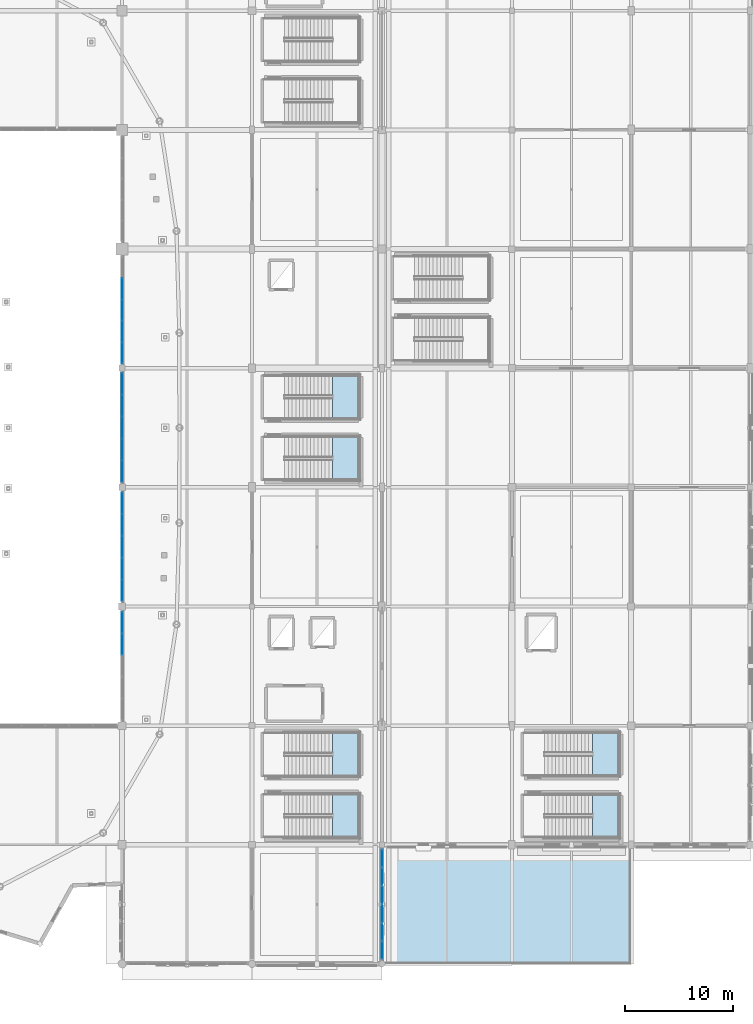
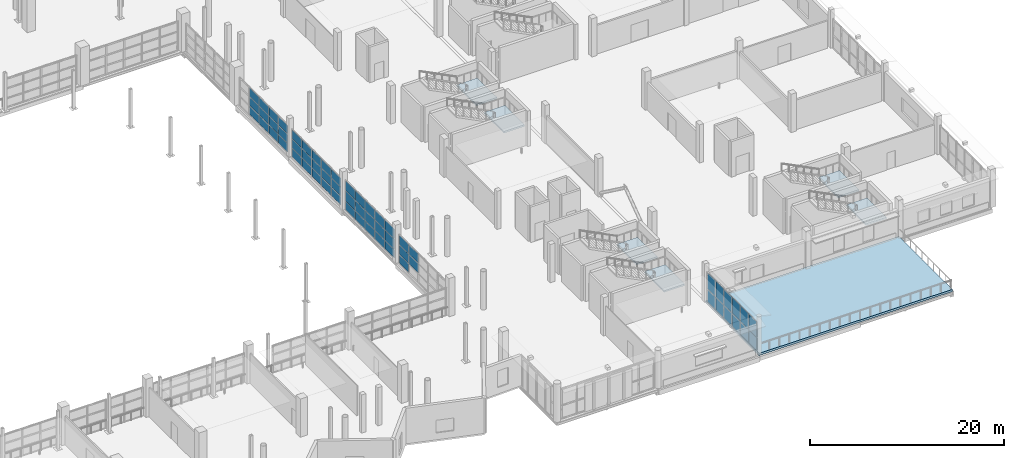
# One storey, part 81 of 143: 59 plates, 7 slabs, 11 elements without a shape of their own.
"""IFC4 building model written with IfcOpenShell, lengths in metres."""

from ifc_helpers import new_model, si_unit, direction, frame, origin, origin_2d, place, context, subcontext, project, spatial, polyline, rectangle, outline, extrude, material, layer, layer_set, type_object, element, aggregate, save


model = new_model("IFC4")

# Units and contexts
model_context = context("Model", 3, precision=1e-05, world=origin(), true_north=direction((0.0, 1.0)))
body_context = subcontext(model_context, "Body", "Model", "MODEL_VIEW")
ifc_project = project(units=[si_unit("LENGTHUNIT", "METRE"), si_unit("AREAUNIT", "SQUARE_METRE"), si_unit("VOLUMEUNIT", "CUBIC_METRE"), si_unit("PLANEANGLEUNIT", "RADIAN"), si_unit("MASSUNIT", "GRAM", prefix="KILO")], contexts=[model_context])

# Site, building, storey
site_placement = place(None, origin())
site = spatial("IfcSite", under=ifc_project, at=site_placement, CompositionType="ELEMENT")
building_placement = place(site_placement, origin())
building = spatial("IfcBuilding", under=site, at=building_placement, Name="Luwafu Chhajja Arena", CompositionType="ELEMENT")
storey_placement = place(building_placement, frame((0.0, 0.0, 5.39990234375)))
storey = spatial("IfcBuildingStorey", under=building, at=storey_placement, Name="L01", CompositionType="ELEMENT", Elevation=5.39990234375)

# Stair, slab
ifc_material_1 = material(Name="Concrete C35/45", Category="concrete")
stair_type_1 = type_object("IfcStairType", Name="Quadrant Protected Dog-Leg Stair 1920", PredefinedType="HALF_TURN_STAIR", material=ifc_material_1)
stair_1_placement = place(storey_placement, origin())
stair_1 = element("IfcStair", 1, at=stair_1_placement, inside=storey, type_object=stair_type_1, Name="L01 Protected Escape Stair ST-03", PredefinedType="HALF_TURN_STAIR")
ifc_layer_1 = layer(ifc_material_1, 0.199951171875, Name="Concrete C35/45")
ifc_layer_set_1 = layer_set([ifc_layer_1], Name="Concrete C35/45")
slab_type_1 = type_object("IfcSlabType", Name="Escape Stair Landing Slab 200", PredefinedType="LANDING", material=ifc_layer_set_1)
slab_1_placement = place(storey_placement, frame((0.0, 0.0, 2.2001953125)))
slab_1 = element("IfcSlab", 2, at=slab_1_placement, type_object=slab_type_1, Name="ST-03 landing 1", PredefinedType="LANDING", context=body_context, shape_type="SweptSolid", body=[
    extrude(outline(polyline([(159.43994140625, 11.64990234375), (161.89990234375, 11.64990234375), (161.89990234375, 15.68994140625), (159.43994140625, 15.68994140625), (159.43994140625, 11.64990234375)])), origin(), (0.0, 0.0, 1.0), 0.199951171875),
])
aggregate(stair_1, [slab_1])

stair_2_placement = place(storey_placement, origin())
stair_2 = element("IfcStair", 3, at=stair_2_placement, inside=storey, type_object=stair_type_1, Name="L01 Protected Escape Stair ST-04", PredefinedType="HALF_TURN_STAIR")
slab_2_placement = place(storey_placement, frame((0.0, 0.0, 2.2001953125)))
slab_2 = element("IfcSlab", 4, at=slab_2_placement, type_object=slab_type_1, Name="ST-04 landing 1", PredefinedType="LANDING", context=body_context, shape_type="SweptSolid", body=[
    extrude(outline(polyline([(159.43994140625, 17.31005859375), (161.89990234375, 17.31005859375), (161.89990234375, 21.35009765625), (159.43994140625, 21.35009765625), (159.43994140625, 17.31005859375)])), origin(), (0.0, 0.0, 1.0), 0.199951171875),
])
aggregate(stair_2, [slab_2])

stair_3_placement = place(storey_placement, origin())
stair_3 = element("IfcStair", 5, at=stair_3_placement, inside=storey, type_object=stair_type_1, Name="L01 Protected Escape Stair ST-11", PredefinedType="HALF_TURN_STAIR")
slab_3_placement = place(storey_placement, frame((0.0, 0.0, 2.2001953125)))
slab_3 = element("IfcSlab", 6, at=slab_3_placement, type_object=slab_type_1, Name="ST-11 landing 1", PredefinedType="LANDING", context=body_context, shape_type="SweptSolid", body=[
    extrude(outline(polyline([(159.43994140625, 44.64990234375), (161.89990234375, 44.64990234375), (161.89990234375, 48.68994140625), (159.43994140625, 48.68994140625), (159.43994140625, 44.64990234375)])), origin(), (0.0, 0.0, 1.0), 0.199951171875),
])
aggregate(stair_3, [slab_3])

stair_4_placement = place(storey_placement, origin())
stair_4 = element("IfcStair", 7, at=stair_4_placement, inside=storey, type_object=stair_type_1, Name="L01 Protected Escape Stair ST-12", PredefinedType="HALF_TURN_STAIR")
slab_4_placement = place(storey_placement, frame((0.0, 0.0, 2.2001953125)))
slab_4 = element("IfcSlab", 8, at=slab_4_placement, type_object=slab_type_1, Name="ST-12 landing 1", PredefinedType="LANDING", context=body_context, shape_type="SweptSolid", body=[
    extrude(outline(polyline([(159.43994140625, 50.31005859375), (161.89990234375, 50.31005859375), (161.89990234375, 54.35009765625), (159.43994140625, 54.35009765625), (159.43994140625, 50.31005859375)])), origin(), (0.0, 0.0, 1.0), 0.199951171875),
])
aggregate(stair_4, [slab_4])

stair_type_2 = type_object("IfcStairType", Name="Wing Protected Dog-Leg Stair 1900", PredefinedType="HALF_TURN_STAIR", material=ifc_material_1)
stair_5_placement = place(storey_placement, origin())
stair_5 = element("IfcStair", 9, at=stair_5_placement, inside=storey, type_object=stair_type_2, Name="L01 Protected Escape Stair ST-15", PredefinedType="HALF_TURN_STAIR")
slab_5_placement = place(storey_placement, frame((0.0, 0.0, 2.2001953125)))
slab_5 = element("IfcSlab", 10, at=slab_5_placement, type_object=slab_type_1, Name="ST-15 landing 1", PredefinedType="LANDING", context=body_context, shape_type="SweptSolid", body=[
    extrude(outline(polyline([(183.419921875, 11.64990234375), (185.89990234375, 11.64990234375), (185.89990234375, 15.64990234375), (183.419921875, 15.64990234375), (183.419921875, 11.64990234375)])), origin(), (0.0, 0.0, 1.0), 0.199951171875),
])
aggregate(stair_5, [slab_5])

stair_6_placement = place(storey_placement, origin())
stair_6 = element("IfcStair", 11, at=stair_6_placement, inside=storey, type_object=stair_type_2, Name="L01 Protected Escape Stair ST-16", PredefinedType="HALF_TURN_STAIR")
slab_6_placement = place(storey_placement, frame((0.0, 0.0, 2.2001953125)))
slab_6 = element("IfcSlab", 12, at=slab_6_placement, type_object=slab_type_1, Name="ST-16 landing 1", PredefinedType="LANDING", context=body_context, shape_type="SweptSolid", body=[
    extrude(outline(polyline([(183.419921875, 17.35009765625), (185.89990234375, 17.35009765625), (185.89990234375, 21.35009765625), (183.419921875, 21.35009765625), (183.419921875, 17.35009765625)])), origin(), (0.0, 0.0, 1.0), 0.199951171875),
])
aggregate(stair_6, [slab_6])

# Slab
ifc_layer_2 = layer(ifc_material_1, 0.27001953125, Name="Concrete C35/45")
ifc_layer_set_2 = layer_set([ifc_layer_2], Name="Concrete C35/45")
slab_type_2 = type_object("IfcSlabType", Name="External Viewing Terrace Slab 270", PredefinedType="FLOOR", material=ifc_layer_set_2)
slab_7_placement = place(storey_placement, frame((0.0, 0.0, -0.27001953125)))
element("IfcSlab", 13, at=slab_7_placement, inside=storey, type_object=slab_type_2, Name="L01 Luwafu Colonnade Viewing Terrace", PredefinedType="FLOOR", context=body_context, shape_type="SweptSolid", body=[
    extrude(outline(polyline([(164.0, 0.0), (187.0, 0.0), (187.0, 11.0), (164.0, 11.0), (164.0, 0.0)])), origin(), (0.0, 0.0, 1.0), 0.27001953125),
])

# Curtain wall, plates
ifc_material_2 = material(Name="Anodised bronze aluminium", Category="aluminium")
curtain_wall_type_1 = type_object("IfcCurtainWallType", Name="Foyer Luwafu Street Curtain Wall", PredefinedType="USERDEFINED", material=ifc_material_2)
curtain_wall_1_placement = place(storey_placement, origin())
curtain_wall_1 = element("IfcCurtainWall", 14, at=curtain_wall_1_placement, inside=storey, type_object=curtain_wall_type_1, Name="L01 Curtain Wall CWG-L01-V14_00", ObjectType="CURTAIN WALL", PredefinedType="USERDEFINED")
ifc_material_3 = material(Name="Solar-control laminated glass", Category="glass")
ifc_layer_3 = layer(ifc_material_3, 0.028076171875, Name="Solar-control laminated glass")
ifc_layer_set_3 = layer_set([ifc_layer_3], Name="Solar-control laminated glass")
plate_type = type_object("IfcPlateType", Name="Solar Control Double Glazed CW Panel 28", PredefinedType="CURTAIN_PANEL", material=ifc_layer_set_3)
plate_1_placement = place(storey_placement, frame((164.0, 1.28076171875, 0.09521484375), z_axis=(0.0, 0.0, 1.0), x_axis=(0.0, 1.0, 0.0)))
plate_1 = element("IfcPlate", 15, at=plate_1_placement, type_object=plate_type, Name="CW-05 panel 1.1", PredefinedType="CURTAIN_PANEL", context=body_context, shape_type="SweptSolid", body=[
    extrude(rectangle(XDim=1.6015625, YDim=0.028076171875, at=origin_2d()), origin(), (0.0, 0.0, 1.0), 1.577880859375),
])
plate_2_placement = place(storey_placement, frame((164.0, 1.28076171875, 1.73828125), z_axis=(0.0, 0.0, 1.0), x_axis=(0.0, 1.0, 0.0)))
plate_2 = element("IfcPlate", 16, at=plate_2_placement, type_object=plate_type, Name="CW-05 panel 1.2", PredefinedType="CURTAIN_PANEL", context=body_context, shape_type="SweptSolid", body=[
    extrude(rectangle(XDim=1.6015625, YDim=0.028076171875, at=origin_2d()), origin(), (0.0, 0.0, 1.0), 1.987060546875),
])
plate_3_placement = place(storey_placement, frame((164.0, 2.9638671875, 0.09521484375), z_axis=(0.0, 0.0, 1.0), x_axis=(0.0, 1.0, 0.0)))
plate_3 = element("IfcPlate", 17, at=plate_3_placement, type_object=plate_type, Name="CW-05 panel 2.1", PredefinedType="CURTAIN_PANEL", context=body_context, shape_type="SweptSolid", body=[
    extrude(rectangle(XDim=1.63427734375, YDim=0.028076171875, at=origin_2d()), origin(), (0.0, 0.0, 1.0), 1.577880859375),
])
plate_4_placement = place(storey_placement, frame((164.0, 2.9638671875, 1.73828125), z_axis=(0.0, 0.0, 1.0), x_axis=(0.0, 1.0, 0.0)))
plate_4 = element("IfcPlate", 18, at=plate_4_placement, type_object=plate_type, Name="CW-05 panel 2.2", PredefinedType="CURTAIN_PANEL", context=body_context, shape_type="SweptSolid", body=[
    extrude(rectangle(XDim=1.63427734375, YDim=0.028076171875, at=origin_2d()), origin(), (0.0, 0.0, 1.0), 1.987060546875),
])
plate_5_placement = place(storey_placement, frame((164.0, 4.662841796875, 0.09521484375), z_axis=(0.0, 0.0, 1.0), x_axis=(0.0, 1.0, 0.0)))
plate_5 = element("IfcPlate", 19, at=plate_5_placement, type_object=plate_type, Name="CW-05 panel 3.1", PredefinedType="CURTAIN_PANEL", context=body_context, shape_type="SweptSolid", body=[
    extrude(rectangle(XDim=1.63427734375, YDim=0.028076171875, at=origin_2d()), origin(), (0.0, 0.0, 1.0), 1.577880859375),
])
plate_6_placement = place(storey_placement, frame((164.0, 4.662841796875, 1.73828125), z_axis=(0.0, 0.0, 1.0), x_axis=(0.0, 1.0, 0.0)))
plate_6 = element("IfcPlate", 20, at=plate_6_placement, type_object=plate_type, Name="CW-05 panel 3.2", PredefinedType="CURTAIN_PANEL", context=body_context, shape_type="SweptSolid", body=[
    extrude(rectangle(XDim=1.63427734375, YDim=0.028076171875, at=origin_2d()), origin(), (0.0, 0.0, 1.0), 1.987060546875),
])
plate_7_placement = place(storey_placement, frame((164.0, 6.362060546875, 0.09521484375), z_axis=(0.0, 0.0, 1.0), x_axis=(0.0, 1.0, 0.0)))
plate_7 = element("IfcPlate", 21, at=plate_7_placement, type_object=plate_type, Name="CW-05 panel 4.1", PredefinedType="CURTAIN_PANEL", context=body_context, shape_type="SweptSolid", body=[
    extrude(rectangle(XDim=1.63427734375, YDim=0.028076171875, at=origin_2d()), origin(), (0.0, 0.0, 1.0), 1.577880859375),
])
plate_8_placement = place(storey_placement, frame((164.0, 6.362060546875, 1.73828125), z_axis=(0.0, 0.0, 1.0), x_axis=(0.0, 1.0, 0.0)))
plate_8 = element("IfcPlate", 22, at=plate_8_placement, type_object=plate_type, Name="CW-05 panel 4.2", PredefinedType="CURTAIN_PANEL", context=body_context, shape_type="SweptSolid", body=[
    extrude(rectangle(XDim=1.63427734375, YDim=0.028076171875, at=origin_2d()), origin(), (0.0, 0.0, 1.0), 1.987060546875),
])
plate_9_placement = place(storey_placement, frame((164.0, 8.061279296875, 0.09521484375), z_axis=(0.0, 0.0, 1.0), x_axis=(0.0, 1.0, 0.0)))
plate_9 = element("IfcPlate", 23, at=plate_9_placement, type_object=plate_type, Name="CW-05 panel 5.1", PredefinedType="CURTAIN_PANEL", context=body_context, shape_type="SweptSolid", body=[
    extrude(rectangle(XDim=1.63427734375, YDim=0.028076171875, at=origin_2d()), origin(), (0.0, 0.0, 1.0), 1.577880859375),
])
plate_10_placement = place(storey_placement, frame((164.0, 8.061279296875, 1.73828125), z_axis=(0.0, 0.0, 1.0), x_axis=(0.0, 1.0, 0.0)))
plate_10 = element("IfcPlate", 24, at=plate_10_placement, type_object=plate_type, Name="CW-05 panel 5.2", PredefinedType="CURTAIN_PANEL", context=body_context, shape_type="SweptSolid", body=[
    extrude(rectangle(XDim=1.63427734375, YDim=0.028076171875, at=origin_2d()), origin(), (0.0, 0.0, 1.0), 1.987060546875),
])
plate_11_placement = place(storey_placement, frame((164.0, 9.744140625, 0.09521484375), z_axis=(0.0, 0.0, 1.0), x_axis=(0.0, 1.0, 0.0)))
plate_11 = element("IfcPlate", 25, at=plate_11_placement, type_object=plate_type, Name="CW-05 panel 6.1", PredefinedType="CURTAIN_PANEL", context=body_context, shape_type="SweptSolid", body=[
    extrude(rectangle(XDim=1.6015625, YDim=0.028076171875, at=origin_2d()), origin(), (0.0, 0.0, 1.0), 1.577880859375),
])
plate_12_placement = place(storey_placement, frame((164.0, 9.744140625, 1.73828125), z_axis=(0.0, 0.0, 1.0), x_axis=(0.0, 1.0, 0.0)))
plate_12 = element("IfcPlate", 26, at=plate_12_placement, type_object=plate_type, Name="CW-05 panel 6.2", PredefinedType="CURTAIN_PANEL", context=body_context, shape_type="SweptSolid", body=[
    extrude(rectangle(XDim=1.6015625, YDim=0.028076171875, at=origin_2d()), origin(), (0.0, 0.0, 1.0), 1.987060546875),
])
aggregate(curtain_wall_1, [plate_1, plate_2, plate_3, plate_4, plate_5, plate_6, plate_7, plate_8, plate_9, plate_10, plate_11, plate_12])

curtain_wall_type_2 = type_object("IfcCurtainWallType", Name="Bowl Concourse Chord Curtain Wall", PredefinedType="USERDEFINED", material=ifc_material_2)
curtain_wall_2_placement = place(storey_placement, origin())
curtain_wall_2 = element("IfcCurtainWall", 27, at=curtain_wall_2_placement, inside=storey, type_object=curtain_wall_type_2, Name="L01 Bowl Viewing Curtain Wall CWR-L01-20", ObjectType="CURTAIN WALL", PredefinedType="USERDEFINED")
plate_13_placement = place(storey_placement, frame((140.0, 29.521484375, 1.18017578125), z_axis=(0.0, 0.0, 1.0), x_axis=(0.0, 1.0, 0.0)))
plate_13 = element("IfcPlate", 28, at=plate_13_placement, type_object=plate_type, Name="CW-01 panel 4.2", PredefinedType="CURTAIN_PANEL", context=body_context, shape_type="SweptSolid", body=[
    extrude(rectangle(XDim=1.948974609375, YDim=0.028076171875, at=origin_2d()), origin(), (0.0, 0.0, 1.0), 1.18505859375),
])
plate_14_placement = place(storey_placement, frame((140.0, 29.521484375, 2.42529296875), z_axis=(0.0, 0.0, 1.0), x_axis=(0.0, 1.0, 0.0)))
plate_14 = element("IfcPlate", 29, at=plate_14_placement, type_object=plate_type, Name="CW-01 panel 4.3", PredefinedType="CURTAIN_PANEL", context=body_context, shape_type="SweptSolid", body=[
    extrude(rectangle(XDim=1.948974609375, YDim=0.028076171875, at=origin_2d()), origin(), (0.0, 0.0, 1.0), 1.155029296875),
])
plate_15_placement = place(storey_placement, frame((140.0, 31.515380859375, 0.06005859375), z_axis=(0.0, 0.0, 1.0), x_axis=(0.0, 1.0, 0.0)))
plate_15 = element("IfcPlate", 30, at=plate_15_placement, type_object=plate_type, Name="CW-01 panel 5.1", PredefinedType="CURTAIN_PANEL", context=body_context, shape_type="SweptSolid", body=[
    extrude(rectangle(XDim=1.9189453125, YDim=0.028076171875, at=origin_2d()), origin(), (0.0, 0.0, 1.0), 1.06005859375),
])
plate_16_placement = place(storey_placement, frame((140.0, 31.515380859375, 1.18017578125), z_axis=(0.0, 0.0, 1.0), x_axis=(0.0, 1.0, 0.0)))
plate_16 = element("IfcPlate", 31, at=plate_16_placement, type_object=plate_type, Name="CW-01 panel 5.2", PredefinedType="CURTAIN_PANEL", context=body_context, shape_type="SweptSolid", body=[
    extrude(rectangle(XDim=1.9189453125, YDim=0.028076171875, at=origin_2d()), origin(), (0.0, 0.0, 1.0), 1.18505859375),
])
plate_17_placement = place(storey_placement, frame((140.0, 31.515380859375, 2.42529296875), z_axis=(0.0, 0.0, 1.0), x_axis=(0.0, 1.0, 0.0)))
plate_17 = element("IfcPlate", 32, at=plate_17_placement, type_object=plate_type, Name="CW-01 panel 5.3", PredefinedType="CURTAIN_PANEL", context=body_context, shape_type="SweptSolid", body=[
    extrude(rectangle(XDim=1.9189453125, YDim=0.028076171875, at=origin_2d()), origin(), (0.0, 0.0, 1.0), 1.155029296875),
])
aggregate(curtain_wall_2, [plate_13, plate_14, plate_15, plate_16, plate_17])

curtain_wall_3_placement = place(storey_placement, origin())
curtain_wall_3 = element("IfcCurtainWall", 33, at=curtain_wall_3_placement, inside=storey, type_object=curtain_wall_type_2, Name="L01 Bowl Viewing Curtain Wall CWR-L01-21", ObjectType="CURTAIN WALL", PredefinedType="USERDEFINED")
plate_18_placement = place(storey_placement, frame((140.0, 34.489501953125, 0.06005859375), z_axis=(0.0, 0.0, 1.0), x_axis=(0.0, 1.0, 0.0)))
plate_18 = element("IfcPlate", 34, at=plate_18_placement, type_object=plate_type, Name="CW-01 panel 1.1", PredefinedType="CURTAIN_PANEL", context=body_context, shape_type="SweptSolid", body=[
    extrude(rectangle(XDim=1.928955078125, YDim=0.028076171875, at=origin_2d()), origin(), (0.0, 0.0, 1.0), 1.06005859375),
])
plate_19_placement = place(storey_placement, frame((140.0, 34.489501953125, 1.18017578125), z_axis=(0.0, 0.0, 1.0), x_axis=(0.0, 1.0, 0.0)))
plate_19 = element("IfcPlate", 35, at=plate_19_placement, type_object=plate_type, Name="CW-01 panel 1.2", PredefinedType="CURTAIN_PANEL", context=body_context, shape_type="SweptSolid", body=[
    extrude(rectangle(XDim=1.928955078125, YDim=0.028076171875, at=origin_2d()), origin(), (0.0, 0.0, 1.0), 1.25390625),
])
plate_20_placement = place(storey_placement, frame((140.0, 34.489501953125, 2.494140625), z_axis=(0.0, 0.0, 1.0), x_axis=(0.0, 1.0, 0.0)))
plate_20 = element("IfcPlate", 36, at=plate_20_placement, type_object=plate_type, Name="CW-01 panel 1.3", PredefinedType="CURTAIN_PANEL", context=body_context, shape_type="SweptSolid", body=[
    extrude(rectangle(XDim=1.928955078125, YDim=0.028076171875, at=origin_2d()), origin(), (0.0, 0.0, 1.0), 1.223876953125),
])
plate_21_placement = place(storey_placement, frame((140.0, 36.493408203125, 0.06005859375), z_axis=(0.0, 0.0, 1.0), x_axis=(0.0, 1.0, 0.0)))
plate_21 = element("IfcPlate", 37, at=plate_21_placement, type_object=plate_type, Name="CW-01 panel 2.1", PredefinedType="CURTAIN_PANEL", context=body_context, shape_type="SweptSolid", body=[
    extrude(rectangle(XDim=1.958984375, YDim=0.028076171875, at=origin_2d()), origin(), (0.0, 0.0, 1.0), 1.06005859375),
])
plate_22_placement = place(storey_placement, frame((140.0, 36.493408203125, 1.18017578125), z_axis=(0.0, 0.0, 1.0), x_axis=(0.0, 1.0, 0.0)))
plate_22 = element("IfcPlate", 38, at=plate_22_placement, type_object=plate_type, Name="CW-01 panel 2.2", PredefinedType="CURTAIN_PANEL", context=body_context, shape_type="SweptSolid", body=[
    extrude(rectangle(XDim=1.958984375, YDim=0.028076171875, at=origin_2d()), origin(), (0.0, 0.0, 1.0), 1.25390625),
])
plate_23_placement = place(storey_placement, frame((140.0, 36.493408203125, 2.494140625), z_axis=(0.0, 0.0, 1.0), x_axis=(0.0, 1.0, 0.0)))
plate_23 = element("IfcPlate", 39, at=plate_23_placement, type_object=plate_type, Name="CW-01 panel 2.3", PredefinedType="CURTAIN_PANEL", context=body_context, shape_type="SweptSolid", body=[
    extrude(rectangle(XDim=1.958984375, YDim=0.028076171875, at=origin_2d()), origin(), (0.0, 0.0, 1.0), 1.223876953125),
])
plate_24_placement = place(storey_placement, frame((140.0, 38.512451171875, 0.06005859375), z_axis=(0.0, 0.0, 1.0), x_axis=(0.0, 1.0, 0.0)))
plate_24 = element("IfcPlate", 40, at=plate_24_placement, type_object=plate_type, Name="CW-01 panel 3.1", PredefinedType="CURTAIN_PANEL", context=body_context, shape_type="SweptSolid", body=[
    extrude(rectangle(XDim=1.958984375, YDim=0.028076171875, at=origin_2d()), origin(), (0.0, 0.0, 1.0), 1.06005859375),
])
plate_25_placement = place(storey_placement, frame((140.0, 38.512451171875, 1.18017578125), z_axis=(0.0, 0.0, 1.0), x_axis=(0.0, 1.0, 0.0)))
plate_25 = element("IfcPlate", 41, at=plate_25_placement, type_object=plate_type, Name="CW-01 panel 3.2", PredefinedType="CURTAIN_PANEL", context=body_context, shape_type="SweptSolid", body=[
    extrude(rectangle(XDim=1.958984375, YDim=0.028076171875, at=origin_2d()), origin(), (0.0, 0.0, 1.0), 1.25390625),
])
plate_26_placement = place(storey_placement, frame((140.0, 38.512451171875, 2.494140625), z_axis=(0.0, 0.0, 1.0), x_axis=(0.0, 1.0, 0.0)))
plate_26 = element("IfcPlate", 42, at=plate_26_placement, type_object=plate_type, Name="CW-01 panel 3.3", PredefinedType="CURTAIN_PANEL", context=body_context, shape_type="SweptSolid", body=[
    extrude(rectangle(XDim=1.958984375, YDim=0.028076171875, at=origin_2d()), origin(), (0.0, 0.0, 1.0), 1.223876953125),
])
plate_27_placement = place(storey_placement, frame((140.0, 40.531494140625, 0.06005859375), z_axis=(0.0, 0.0, 1.0), x_axis=(0.0, 1.0, 0.0)))
plate_27 = element("IfcPlate", 43, at=plate_27_placement, type_object=plate_type, Name="CW-01 panel 4.1", PredefinedType="CURTAIN_PANEL", context=body_context, shape_type="SweptSolid", body=[
    extrude(rectangle(XDim=1.958984375, YDim=0.028076171875, at=origin_2d()), origin(), (0.0, 0.0, 1.0), 1.06005859375),
])
plate_28_placement = place(storey_placement, frame((140.0, 40.531494140625, 1.18017578125), z_axis=(0.0, 0.0, 1.0), x_axis=(0.0, 1.0, 0.0)))
plate_28 = element("IfcPlate", 44, at=plate_28_placement, type_object=plate_type, Name="CW-01 panel 4.2", PredefinedType="CURTAIN_PANEL", context=body_context, shape_type="SweptSolid", body=[
    extrude(rectangle(XDim=1.958984375, YDim=0.028076171875, at=origin_2d()), origin(), (0.0, 0.0, 1.0), 1.25390625),
])
plate_29_placement = place(storey_placement, frame((140.0, 40.531494140625, 2.494140625), z_axis=(0.0, 0.0, 1.0), x_axis=(0.0, 1.0, 0.0)))
plate_29 = element("IfcPlate", 45, at=plate_29_placement, type_object=plate_type, Name="CW-01 panel 4.3", PredefinedType="CURTAIN_PANEL", context=body_context, shape_type="SweptSolid", body=[
    extrude(rectangle(XDim=1.958984375, YDim=0.028076171875, at=origin_2d()), origin(), (0.0, 0.0, 1.0), 1.223876953125),
])
plate_30_placement = place(storey_placement, frame((140.0, 42.535400390625, 0.06005859375), z_axis=(0.0, 0.0, 1.0), x_axis=(0.0, 1.0, 0.0)))
plate_30 = element("IfcPlate", 46, at=plate_30_placement, type_object=plate_type, Name="CW-01 panel 5.1", PredefinedType="CURTAIN_PANEL", context=body_context, shape_type="SweptSolid", body=[
    extrude(rectangle(XDim=1.928955078125, YDim=0.028076171875, at=origin_2d()), origin(), (0.0, 0.0, 1.0), 1.06005859375),
])
plate_31_placement = place(storey_placement, frame((140.0, 42.535400390625, 1.18017578125), z_axis=(0.0, 0.0, 1.0), x_axis=(0.0, 1.0, 0.0)))
plate_31 = element("IfcPlate", 47, at=plate_31_placement, type_object=plate_type, Name="CW-01 panel 5.2", PredefinedType="CURTAIN_PANEL", context=body_context, shape_type="SweptSolid", body=[
    extrude(rectangle(XDim=1.928955078125, YDim=0.028076171875, at=origin_2d()), origin(), (0.0, 0.0, 1.0), 1.25390625),
])
plate_32_placement = place(storey_placement, frame((140.0, 42.535400390625, 2.494140625), z_axis=(0.0, 0.0, 1.0), x_axis=(0.0, 1.0, 0.0)))
plate_32 = element("IfcPlate", 48, at=plate_32_placement, type_object=plate_type, Name="CW-01 panel 5.3", PredefinedType="CURTAIN_PANEL", context=body_context, shape_type="SweptSolid", body=[
    extrude(rectangle(XDim=1.928955078125, YDim=0.028076171875, at=origin_2d()), origin(), (0.0, 0.0, 1.0), 1.223876953125),
])
aggregate(curtain_wall_3, [plate_18, plate_19, plate_20, plate_21, plate_22, plate_23, plate_24, plate_25, plate_26, plate_27, plate_28, plate_29, plate_30, plate_31, plate_32])

curtain_wall_4_placement = place(storey_placement, origin())
curtain_wall_4 = element("IfcCurtainWall", 49, at=curtain_wall_4_placement, inside=storey, type_object=curtain_wall_type_2, Name="L01 Bowl Viewing Curtain Wall CWR-L01-22", ObjectType="CURTAIN WALL", PredefinedType="USERDEFINED")
plate_33_placement = place(storey_placement, frame((140.0, 45.469482421875, 0.06005859375), z_axis=(0.0, 0.0, 1.0), x_axis=(0.0, 1.0, 0.0)))
plate_33 = element("IfcPlate", 50, at=plate_33_placement, type_object=plate_type, Name="CW-01 panel 1.1", PredefinedType="CURTAIN_PANEL", context=body_context, shape_type="SweptSolid", body=[
    extrude(rectangle(XDim=1.93896484375, YDim=0.028076171875, at=origin_2d()), origin(), (0.0, 0.0, 1.0), 1.06005859375),
])
plate_34_placement = place(storey_placement, frame((140.0, 45.469482421875, 1.18017578125), z_axis=(0.0, 0.0, 1.0), x_axis=(0.0, 1.0, 0.0)))
plate_34 = element("IfcPlate", 51, at=plate_34_placement, type_object=plate_type, Name="CW-01 panel 1.2", PredefinedType="CURTAIN_PANEL", context=body_context, shape_type="SweptSolid", body=[
    extrude(rectangle(XDim=1.93896484375, YDim=0.028076171875, at=origin_2d()), origin(), (0.0, 0.0, 1.0), 1.110107421875),
])
plate_35_placement = place(storey_placement, frame((140.0, 45.469482421875, 2.35009765625), z_axis=(0.0, 0.0, 1.0), x_axis=(0.0, 1.0, 0.0)))
plate_35 = element("IfcPlate", 52, at=plate_35_placement, type_object=plate_type, Name="CW-01 panel 1.3", PredefinedType="CURTAIN_PANEL", context=body_context, shape_type="SweptSolid", body=[
    extrude(rectangle(XDim=1.93896484375, YDim=0.028076171875, at=origin_2d()), origin(), (0.0, 0.0, 1.0), 1.080078125),
])
plate_36_placement = place(storey_placement, frame((140.0, 47.4833984375, 0.06005859375), z_axis=(0.0, 0.0, 1.0), x_axis=(0.0, 1.0, 0.0)))
plate_36 = element("IfcPlate", 53, at=plate_36_placement, type_object=plate_type, Name="CW-01 panel 2.1", PredefinedType="CURTAIN_PANEL", context=body_context, shape_type="SweptSolid", body=[
    extrude(rectangle(XDim=1.968994140625, YDim=0.028076171875, at=origin_2d()), origin(), (0.0, 0.0, 1.0), 1.06005859375),
])
plate_37_placement = place(storey_placement, frame((140.0, 47.4833984375, 1.18017578125), z_axis=(0.0, 0.0, 1.0), x_axis=(0.0, 1.0, 0.0)))
plate_37 = element("IfcPlate", 54, at=plate_37_placement, type_object=plate_type, Name="CW-01 panel 2.2", PredefinedType="CURTAIN_PANEL", context=body_context, shape_type="SweptSolid", body=[
    extrude(rectangle(XDim=1.968994140625, YDim=0.028076171875, at=origin_2d()), origin(), (0.0, 0.0, 1.0), 1.110107421875),
])
plate_38_placement = place(storey_placement, frame((140.0, 47.4833984375, 2.35009765625), z_axis=(0.0, 0.0, 1.0), x_axis=(0.0, 1.0, 0.0)))
plate_38 = element("IfcPlate", 55, at=plate_38_placement, type_object=plate_type, Name="CW-01 panel 2.3", PredefinedType="CURTAIN_PANEL", context=body_context, shape_type="SweptSolid", body=[
    extrude(rectangle(XDim=1.968994140625, YDim=0.028076171875, at=origin_2d()), origin(), (0.0, 0.0, 1.0), 1.080078125),
])
plate_39_placement = place(storey_placement, frame((140.0, 49.512451171875, 0.06005859375), z_axis=(0.0, 0.0, 1.0), x_axis=(0.0, 1.0, 0.0)))
plate_39 = element("IfcPlate", 56, at=plate_39_placement, type_object=plate_type, Name="CW-01 panel 3.1", PredefinedType="CURTAIN_PANEL", context=body_context, shape_type="SweptSolid", body=[
    extrude(rectangle(XDim=1.968994140625, YDim=0.028076171875, at=origin_2d()), origin(), (0.0, 0.0, 1.0), 1.06005859375),
])
plate_40_placement = place(storey_placement, frame((140.0, 49.512451171875, 1.18017578125), z_axis=(0.0, 0.0, 1.0), x_axis=(0.0, 1.0, 0.0)))
plate_40 = element("IfcPlate", 57, at=plate_40_placement, type_object=plate_type, Name="CW-01 panel 3.2", PredefinedType="CURTAIN_PANEL", context=body_context, shape_type="SweptSolid", body=[
    extrude(rectangle(XDim=1.968994140625, YDim=0.028076171875, at=origin_2d()), origin(), (0.0, 0.0, 1.0), 1.110107421875),
])
plate_41_placement = place(storey_placement, frame((140.0, 49.512451171875, 2.35009765625), z_axis=(0.0, 0.0, 1.0), x_axis=(0.0, 1.0, 0.0)))
plate_41 = element("IfcPlate", 58, at=plate_41_placement, type_object=plate_type, Name="CW-01 panel 3.3", PredefinedType="CURTAIN_PANEL", context=body_context, shape_type="SweptSolid", body=[
    extrude(rectangle(XDim=1.968994140625, YDim=0.028076171875, at=origin_2d()), origin(), (0.0, 0.0, 1.0), 1.080078125),
])
plate_42_placement = place(storey_placement, frame((140.0, 51.54150390625, 0.06005859375), z_axis=(0.0, 0.0, 1.0), x_axis=(0.0, 1.0, 0.0)))
plate_42 = element("IfcPlate", 59, at=plate_42_placement, type_object=plate_type, Name="CW-01 panel 4.1", PredefinedType="CURTAIN_PANEL", context=body_context, shape_type="SweptSolid", body=[
    extrude(rectangle(XDim=1.968994140625, YDim=0.028076171875, at=origin_2d()), origin(), (0.0, 0.0, 1.0), 1.06005859375),
])
plate_43_placement = place(storey_placement, frame((140.0, 51.54150390625, 1.18017578125), z_axis=(0.0, 0.0, 1.0), x_axis=(0.0, 1.0, 0.0)))
plate_43 = element("IfcPlate", 60, at=plate_43_placement, type_object=plate_type, Name="CW-01 panel 4.2", PredefinedType="CURTAIN_PANEL", context=body_context, shape_type="SweptSolid", body=[
    extrude(rectangle(XDim=1.968994140625, YDim=0.028076171875, at=origin_2d()), origin(), (0.0, 0.0, 1.0), 1.110107421875),
])
plate_44_placement = place(storey_placement, frame((140.0, 51.54150390625, 2.35009765625), z_axis=(0.0, 0.0, 1.0), x_axis=(0.0, 1.0, 0.0)))
plate_44 = element("IfcPlate", 61, at=plate_44_placement, type_object=plate_type, Name="CW-01 panel 4.3", PredefinedType="CURTAIN_PANEL", context=body_context, shape_type="SweptSolid", body=[
    extrude(rectangle(XDim=1.968994140625, YDim=0.028076171875, at=origin_2d()), origin(), (0.0, 0.0, 1.0), 1.080078125),
])
plate_45_placement = place(storey_placement, frame((140.0, 53.555419921875, 0.06005859375), z_axis=(0.0, 0.0, 1.0), x_axis=(0.0, 1.0, 0.0)))
plate_45 = element("IfcPlate", 62, at=plate_45_placement, type_object=plate_type, Name="CW-01 panel 5.1", PredefinedType="CURTAIN_PANEL", context=body_context, shape_type="SweptSolid", body=[
    extrude(rectangle(XDim=1.93896484375, YDim=0.028076171875, at=origin_2d()), origin(), (0.0, 0.0, 1.0), 1.06005859375),
])
plate_46_placement = place(storey_placement, frame((140.0, 53.555419921875, 1.18017578125), z_axis=(0.0, 0.0, 1.0), x_axis=(0.0, 1.0, 0.0)))
plate_46 = element("IfcPlate", 63, at=plate_46_placement, type_object=plate_type, Name="CW-01 panel 5.2", PredefinedType="CURTAIN_PANEL", context=body_context, shape_type="SweptSolid", body=[
    extrude(rectangle(XDim=1.93896484375, YDim=0.028076171875, at=origin_2d()), origin(), (0.0, 0.0, 1.0), 1.110107421875),
])
plate_47_placement = place(storey_placement, frame((140.0, 53.555419921875, 2.35009765625), z_axis=(0.0, 0.0, 1.0), x_axis=(0.0, 1.0, 0.0)))
plate_47 = element("IfcPlate", 64, at=plate_47_placement, type_object=plate_type, Name="CW-01 panel 5.3", PredefinedType="CURTAIN_PANEL", context=body_context, shape_type="SweptSolid", body=[
    extrude(rectangle(XDim=1.93896484375, YDim=0.028076171875, at=origin_2d()), origin(), (0.0, 0.0, 1.0), 1.080078125),
])
aggregate(curtain_wall_4, [plate_33, plate_34, plate_35, plate_36, plate_37, plate_38, plate_39, plate_40, plate_41, plate_42, plate_43, plate_44, plate_45, plate_46, plate_47])

curtain_wall_5_placement = place(storey_placement, origin())
curtain_wall_5 = element("IfcCurtainWall", 65, at=curtain_wall_5_placement, inside=storey, type_object=curtain_wall_type_2, Name="L01 Bowl Viewing Curtain Wall CWR-L01-23", ObjectType="CURTAIN WALL", PredefinedType="USERDEFINED")
plate_48_placement = place(storey_placement, frame((140.0, 56.41943359375, 0.06005859375), z_axis=(0.0, 0.0, 1.0), x_axis=(0.0, 1.0, 0.0)))
plate_48 = element("IfcPlate", 66, at=plate_48_placement, type_object=plate_type, Name="CW-01 panel 1.1", PredefinedType="CURTAIN_PANEL", context=body_context, shape_type="SweptSolid", body=[
    extrude(rectangle(XDim=1.888916015625, YDim=0.028076171875, at=origin_2d()), origin(), (0.0, 0.0, 1.0), 1.06005859375),
])
plate_49_placement = place(storey_placement, frame((140.0, 56.41943359375, 1.18017578125), z_axis=(0.0, 0.0, 1.0), x_axis=(0.0, 1.0, 0.0)))
plate_49 = element("IfcPlate", 67, at=plate_49_placement, type_object=plate_type, Name="CW-01 panel 1.2", PredefinedType="CURTAIN_PANEL", context=body_context, shape_type="SweptSolid", body=[
    extrude(rectangle(XDim=1.888916015625, YDim=0.028076171875, at=origin_2d()), origin(), (0.0, 0.0, 1.0), 1.110107421875),
])
plate_50_placement = place(storey_placement, frame((140.0, 56.41943359375, 2.35009765625), z_axis=(0.0, 0.0, 1.0), x_axis=(0.0, 1.0, 0.0)))
plate_50 = element("IfcPlate", 68, at=plate_50_placement, type_object=plate_type, Name="CW-01 panel 1.3", PredefinedType="CURTAIN_PANEL", context=body_context, shape_type="SweptSolid", body=[
    extrude(rectangle(XDim=1.888916015625, YDim=0.028076171875, at=origin_2d()), origin(), (0.0, 0.0, 1.0), 1.080078125),
])
plate_51_placement = place(storey_placement, frame((140.0, 58.383544921875, 0.06005859375), z_axis=(0.0, 0.0, 1.0), x_axis=(0.0, 1.0, 0.0)))
plate_51 = element("IfcPlate", 69, at=plate_51_placement, type_object=plate_type, Name="CW-01 panel 2.1", PredefinedType="CURTAIN_PANEL", context=body_context, shape_type="SweptSolid", body=[
    extrude(rectangle(XDim=1.9189453125, YDim=0.028076171875, at=origin_2d()), origin(), (0.0, 0.0, 1.0), 1.06005859375),
])
plate_52_placement = place(storey_placement, frame((140.0, 58.383544921875, 1.18017578125), z_axis=(0.0, 0.0, 1.0), x_axis=(0.0, 1.0, 0.0)))
plate_52 = element("IfcPlate", 70, at=plate_52_placement, type_object=plate_type, Name="CW-01 panel 2.2", PredefinedType="CURTAIN_PANEL", context=body_context, shape_type="SweptSolid", body=[
    extrude(rectangle(XDim=1.9189453125, YDim=0.028076171875, at=origin_2d()), origin(), (0.0, 0.0, 1.0), 1.110107421875),
])
plate_53_placement = place(storey_placement, frame((140.0, 58.383544921875, 2.35009765625), z_axis=(0.0, 0.0, 1.0), x_axis=(0.0, 1.0, 0.0)))
plate_53 = element("IfcPlate", 71, at=plate_53_placement, type_object=plate_type, Name="CW-01 panel 2.3", PredefinedType="CURTAIN_PANEL", context=body_context, shape_type="SweptSolid", body=[
    extrude(rectangle(XDim=1.9189453125, YDim=0.028076171875, at=origin_2d()), origin(), (0.0, 0.0, 1.0), 1.080078125),
])
plate_54_placement = place(storey_placement, frame((140.0, 60.362548828125, 0.06005859375), z_axis=(0.0, 0.0, 1.0), x_axis=(0.0, 1.0, 0.0)))
plate_54 = element("IfcPlate", 72, at=plate_54_placement, type_object=plate_type, Name="CW-01 panel 3.1", PredefinedType="CURTAIN_PANEL", context=body_context, shape_type="SweptSolid", body=[
    extrude(rectangle(XDim=1.9189453125, YDim=0.028076171875, at=origin_2d()), origin(), (0.0, 0.0, 1.0), 1.06005859375),
])
plate_55_placement = place(storey_placement, frame((140.0, 60.362548828125, 1.18017578125), z_axis=(0.0, 0.0, 1.0), x_axis=(0.0, 1.0, 0.0)))
plate_55 = element("IfcPlate", 73, at=plate_55_placement, type_object=plate_type, Name="CW-01 panel 3.2", PredefinedType="CURTAIN_PANEL", context=body_context, shape_type="SweptSolid", body=[
    extrude(rectangle(XDim=1.9189453125, YDim=0.028076171875, at=origin_2d()), origin(), (0.0, 0.0, 1.0), 1.110107421875),
])
plate_56_placement = place(storey_placement, frame((140.0, 60.362548828125, 2.35009765625), z_axis=(0.0, 0.0, 1.0), x_axis=(0.0, 1.0, 0.0)))
plate_56 = element("IfcPlate", 74, at=plate_56_placement, type_object=plate_type, Name="CW-01 panel 3.3", PredefinedType="CURTAIN_PANEL", context=body_context, shape_type="SweptSolid", body=[
    extrude(rectangle(XDim=1.9189453125, YDim=0.028076171875, at=origin_2d()), origin(), (0.0, 0.0, 1.0), 1.080078125),
])
plate_57_placement = place(storey_placement, frame((140.0, 62.341552734375, 0.06005859375), z_axis=(0.0, 0.0, 1.0), x_axis=(0.0, 1.0, 0.0)))
plate_57 = element("IfcPlate", 75, at=plate_57_placement, type_object=plate_type, Name="CW-01 panel 4.1", PredefinedType="CURTAIN_PANEL", context=body_context, shape_type="SweptSolid", body=[
    extrude(rectangle(XDim=1.9189453125, YDim=0.028076171875, at=origin_2d()), origin(), (0.0, 0.0, 1.0), 1.06005859375),
])
plate_58_placement = place(storey_placement, frame((140.0, 62.341552734375, 1.18017578125), z_axis=(0.0, 0.0, 1.0), x_axis=(0.0, 1.0, 0.0)))
plate_58 = element("IfcPlate", 76, at=plate_58_placement, type_object=plate_type, Name="CW-01 panel 4.2", PredefinedType="CURTAIN_PANEL", context=body_context, shape_type="SweptSolid", body=[
    extrude(rectangle(XDim=1.9189453125, YDim=0.028076171875, at=origin_2d()), origin(), (0.0, 0.0, 1.0), 1.110107421875),
])
plate_59_placement = place(storey_placement, frame((140.0, 62.341552734375, 2.35009765625), z_axis=(0.0, 0.0, 1.0), x_axis=(0.0, 1.0, 0.0)))
plate_59 = element("IfcPlate", 77, at=plate_59_placement, type_object=plate_type, Name="CW-01 panel 4.3", PredefinedType="CURTAIN_PANEL", context=body_context, shape_type="SweptSolid", body=[
    extrude(rectangle(XDim=1.9189453125, YDim=0.028076171875, at=origin_2d()), origin(), (0.0, 0.0, 1.0), 1.080078125),
])
aggregate(curtain_wall_5, [plate_48, plate_49, plate_50, plate_51, plate_52, plate_53, plate_54, plate_55, plate_56, plate_57, plate_58, plate_59])

save(model, "model.ifc")
